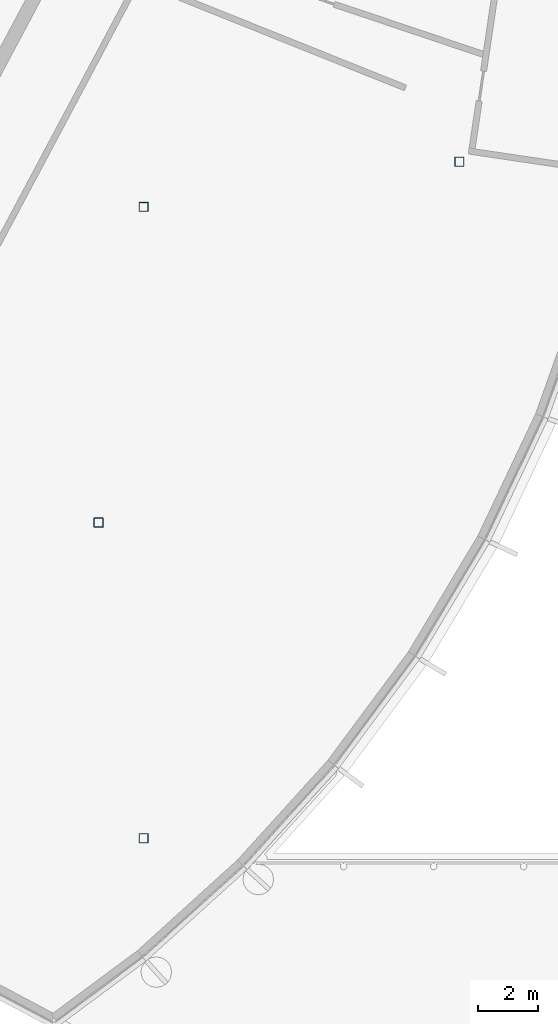
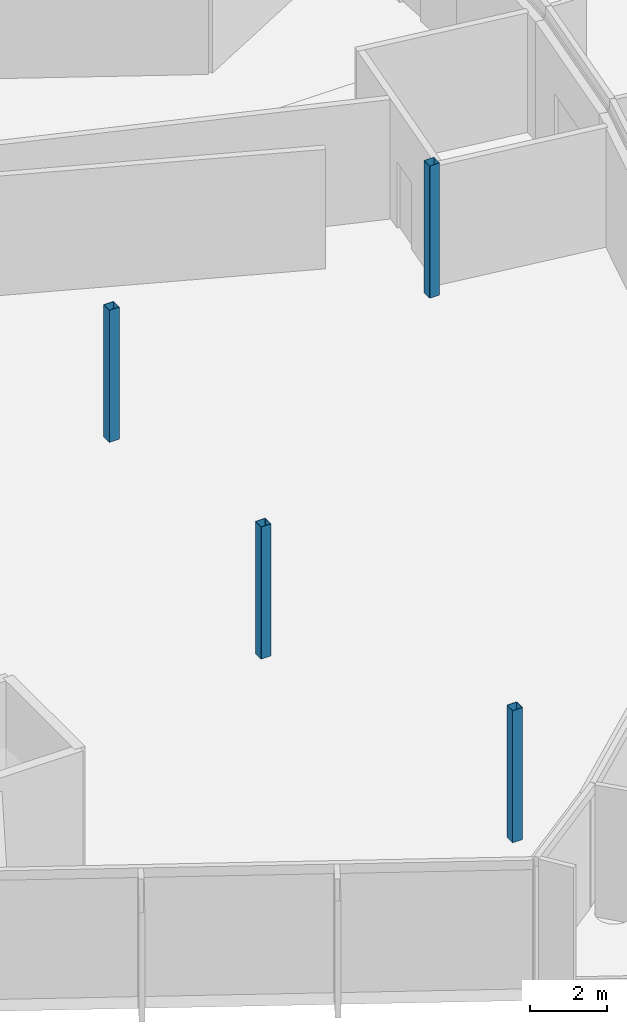
# One storey, part 1 of 16: 4 columns.
"""IFC4 building model written with IfcOpenShell, lengths in metres."""

from ifc_helpers import new_model, si_unit, direction, frame, origin, origin_2d, place, context, subcontext, project, spatial, hollow_rectangle, extrude, material, material_profile, profile_set, type_object, element, save


model = new_model("IFC4")

# Units and contexts
model_context = context("Model", 3, precision=1e-05, world=origin(), true_north=direction((0.0, 1.0)))
body_context = subcontext(model_context, "Body", "Model", "MODEL_VIEW")
ifc_project = project(units=[si_unit("LENGTHUNIT", "METRE"), si_unit("AREAUNIT", "SQUARE_METRE"), si_unit("VOLUMEUNIT", "CUBIC_METRE"), si_unit("PLANEANGLEUNIT", "RADIAN"), si_unit("MASSUNIT", "GRAM", prefix="KILO")], contexts=[model_context])

# Site, building, storey
site_placement = place(None, origin())
site = spatial("IfcSite", under=ifc_project, at=site_placement, CompositionType="ELEMENT")
building_placement = place(site_placement, origin())
building = spatial("IfcBuilding", under=site, at=building_placement, Name="Cormorant Relay Tower", CompositionType="ELEMENT")
storey_placement = place(building_placement, frame((0.0, 0.0, 328.199951171875)))
storey = spatial("IfcBuildingStorey", under=building, at=storey_placement, Name="C1", CompositionType="ELEMENT", Elevation=328.199951171875)

# Columns
ifc_material = material(Name="Steel ASTM A500 Grade C (Fy 345 MPa)", Category="steel")
ifc_material_profile = material_profile(ifc_material, hollow_rectangle(XDim=0.3046875, YDim=0.3046875, WallThickness=0.0087890625, InnerFilletRadius=0.00439453125, OuterFilletRadius=0.01318359375, at=origin_2d()), Name="HSS305x305x9")
ifc_profile_set = profile_set([ifc_material_profile], Name="Steel ASTM A500 Grade C (Fy 345 MPa)")
column_type = type_object("IfcColumnType", Name="Column HSS305x305x9", PredefinedType="COLUMN", material=ifc_profile_set)
for number, where, z_axis, x_axis, name in (
    (1, (-10.5, -10.5, 0.0), (0.0, 0.0, 1.0), (1.0, 0.0, 0.0), "Column C1-001"),
    (2, (-12.0, 0.0, 0.0), (0.0, 0.0, 1.0), (1.0, 0.0, 0.0), "Column C1-002"),
    (3, (-10.5, 10.5, 0.0), (0.0, 0.0, 1.0), (1.0, 0.0, 0.0), "Column C1-003"),
    (4, (0.0, 12.0, 0.0), (0.0, 0.0, 1.0), (1.0, 0.0, 0.0), "Column C1-004"),
):
    element("IfcColumn", number, at=place(storey_placement, frame(where, z_axis=z_axis, x_axis=x_axis)), inside=storey, type_object=column_type, Name=name, PredefinedType="COLUMN", context=body_context, shape_type="SweptSolid", body=[
        extrude(hollow_rectangle(XDim=0.3046875, YDim=0.3046875, WallThickness=0.0087890625, InnerFilletRadius=0.00439453125, OuterFilletRadius=0.01318359375, at=origin_2d()), origin(), (0.0, 0.0, 1.0), 4.199951171875),
    ])

save(model, "model.ifc")
